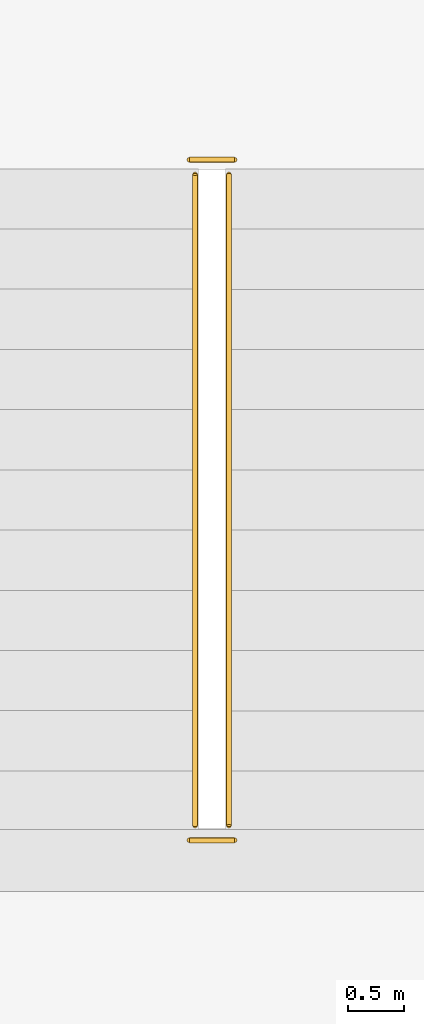
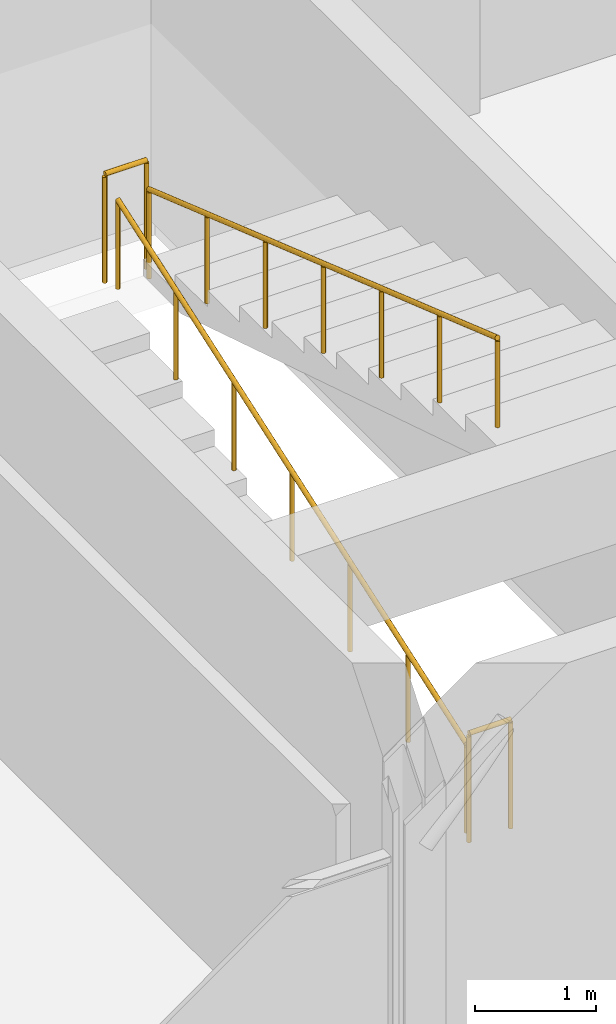
# One storey, part 46 of 49: 4 railings.
"""IFC4 building model written with IfcOpenShell, lengths in metres."""

from ifc_helpers import new_model, si_unit, direction, frame, origin, origin_2d, place, context, subcontext, project, spatial, circle, extrude, material, layer, layer_set, type_object, element, save


model = new_model("IFC4")

# Units and contexts
model_context = context("Model", 3, precision=1e-05, world=origin(), true_north=direction((0.0, 1.0)))
body_context = subcontext(model_context, "Body", "Model", "MODEL_VIEW")
ifc_project = project(units=[si_unit("LENGTHUNIT", "METRE"), si_unit("AREAUNIT", "SQUARE_METRE"), si_unit("VOLUMEUNIT", "CUBIC_METRE"), si_unit("PLANEANGLEUNIT", "RADIAN"), si_unit("MASSUNIT", "GRAM", prefix="KILO")], contexts=[model_context])

# Site, building, storey
site_placement = place(None, origin())
site = spatial("IfcSite", under=ifc_project, at=site_placement, CompositionType="ELEMENT")
building_placement = place(site_placement, origin())
building = spatial("IfcBuilding", under=site, at=building_placement, Name="Girod Span Mobility Hub", CompositionType="ELEMENT")
storey_placement = place(building_placement, frame((0.0, 0.0, 37.60009765625)))
storey = spatial("IfcBuildingStorey", under=building, at=storey_placement, Name="L09", CompositionType="ELEMENT", Elevation=37.60009765625)

# Railings
ifc_material_1 = material(Name="Painted Galvanised Steel", Category="steel")
ifc_layer_1 = layer(ifc_material_1, 0.06494140625)
ifc_layer_set_1 = layer_set([ifc_layer_1], Name="Painted Galvanised Steel")
railing_type_1 = type_object("IfcRailingType", Name="RL-GRD-1120", PredefinedType="GUARDRAIL", material=ifc_layer_set_1)
for number, where, name in (
    (1, (74.10009765625, 35.77001953125, 2.0), "Stair ST-3 Half-Landing Well Guard L09"),
    (2, (74.10009765625, 29.72998046875, 0.0), "Stair ST-3 Landing Well Guard L09"),
):
    element("IfcRailing", number, at=place(storey_placement, frame(where)), inside=storey, type_object=railing_type_1, Name=name, PredefinedType="GUARDRAIL", context=body_context, shape_type="SweptSolid", body=[
        extrude(circle(Radius=0.02392578125, at=origin_2d()), frame((0.0, 0.0, 1.09619140625), z_axis=(1.0, 0.0, 0.0), x_axis=(0.0, 1.0, 0.0)), (0.0, 0.0, 1.0), 0.39990234375),
        extrude(circle(Radius=0.02099609375, at=origin_2d()), origin(), (0.0, 0.0, 1.0), 1.072021484375),
        extrude(circle(Radius=0.02099609375, at=origin_2d()), frame((0.39990234375, 0.0, 0.0)), (0.0, 0.0, 1.0), 1.072021484375),
    ])
ifc_material_2 = material(Name="Painted Galvanised Steel", Category="steel")
ifc_layer_2 = layer(ifc_material_2, 0.050048828125)
ifc_layer_set_2 = layer_set([ifc_layer_2], Name="Painted Galvanised Steel")
railing_type_2 = type_object("IfcRailingType", Name="RL-HR-920", PredefinedType="HANDRAIL", material=ifc_layer_set_2)
railing_1_placement = place(storey_placement, frame((74.14990234375, 29.860107421875, 0.0)))
element("IfcRailing", 3, at=railing_1_placement, inside=storey, type_object=railing_type_2, Name="Stair ST-3 Flight 1 Handrail L09", PredefinedType="HANDRAIL", context=body_context, shape_type="SweptSolid", body=[
    extrude(circle(Radius=0.02392578125, at=origin_2d()), frame((0.0, 0.0, 0.89599609375), z_axis=(0.0, 0.945021187488, 0.327009105681), x_axis=(-1.0, 0.0, 0.0)), (0.0, 0.0, 1.0), 6.115966796875),
    extrude(circle(Radius=0.02099609375, at=origin_2d()), origin(), (0.0, 0.0, 1.0), 0.871826171875),
    extrude(circle(Radius=0.02099609375, at=origin_2d()), frame((0.0, 0.96337890625, 0.333251953125)), (0.0, 0.0, 1.0), 0.871826171875),
    extrude(circle(Radius=0.02099609375, at=origin_2d()), frame((0.0, 1.926513671875, 0.666748046875)), (0.0, 0.0, 1.0), 0.871826171875),
    extrude(circle(Radius=0.02099609375, at=origin_2d()), frame((0.0, 2.889892578125, 1.0)), (0.0, 0.0, 1.0), 0.871826171875),
    extrude(circle(Radius=0.02099609375, at=origin_2d()), frame((0.0, 3.853271484375, 1.333251953125)), (0.0, 0.0, 1.0), 0.871826171875),
    extrude(circle(Radius=0.02099609375, at=origin_2d()), frame((0.0, 4.81640625, 1.666748046875)), (0.0, 0.0, 1.0), 0.871826171875),
    extrude(circle(Radius=0.02099609375, at=origin_2d()), frame((0.0, 5.77978515625, 2.0)), (0.0, 0.0, 1.0), 0.871826171875),
])
railing_2_placement = place(storey_placement, frame((74.449951171875, 35.639892578125, 2.0)))
element("IfcRailing", 4, at=railing_2_placement, inside=storey, type_object=railing_type_2, Name="Stair ST-3 Flight 2 Handrail L09", PredefinedType="HANDRAIL", context=body_context, shape_type="SweptSolid", body=[
    extrude(circle(Radius=0.02392578125, at=origin_2d()), frame((0.0, 0.0, 0.89599609375), z_axis=(0.0, -0.945021187488, 0.327009105681), x_axis=(1.0, 0.0, 0.0)), (0.0, 0.0, 1.0), 6.115966796875),
    extrude(circle(Radius=0.02099609375, at=origin_2d()), origin(), (0.0, 0.0, 1.0), 0.871826171875),
    extrude(circle(Radius=0.02099609375, at=origin_2d()), frame((0.0, -0.96337890625, 0.333251953125)), (0.0, 0.0, 1.0), 0.871826171875),
    extrude(circle(Radius=0.02099609375, at=origin_2d()), frame((0.0, -1.926513671875, 0.666748046875)), (0.0, 0.0, 1.0), 0.871826171875),
    extrude(circle(Radius=0.02099609375, at=origin_2d()), frame((0.0, -2.889892578125, 1.0)), (0.0, 0.0, 1.0), 0.871826171875),
    extrude(circle(Radius=0.02099609375, at=origin_2d()), frame((0.0, -3.853271484375, 1.333251953125)), (0.0, 0.0, 1.0), 0.871826171875),
    extrude(circle(Radius=0.02099609375, at=origin_2d()), frame((0.0, -4.81640625, 1.666748046875)), (0.0, 0.0, 1.0), 0.871826171875),
    extrude(circle(Radius=0.02099609375, at=origin_2d()), frame((0.0, -5.77978515625, 2.0)), (0.0, 0.0, 1.0), 0.871826171875),
])

save(model, "model.ifc")
